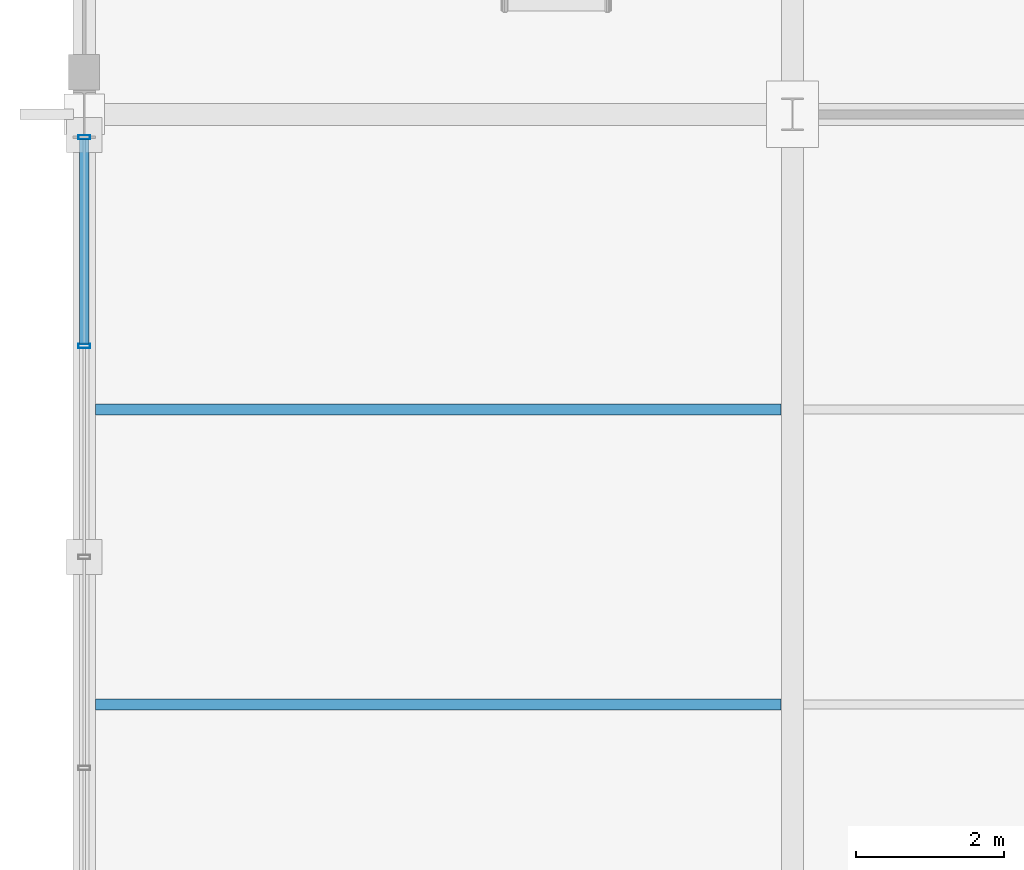
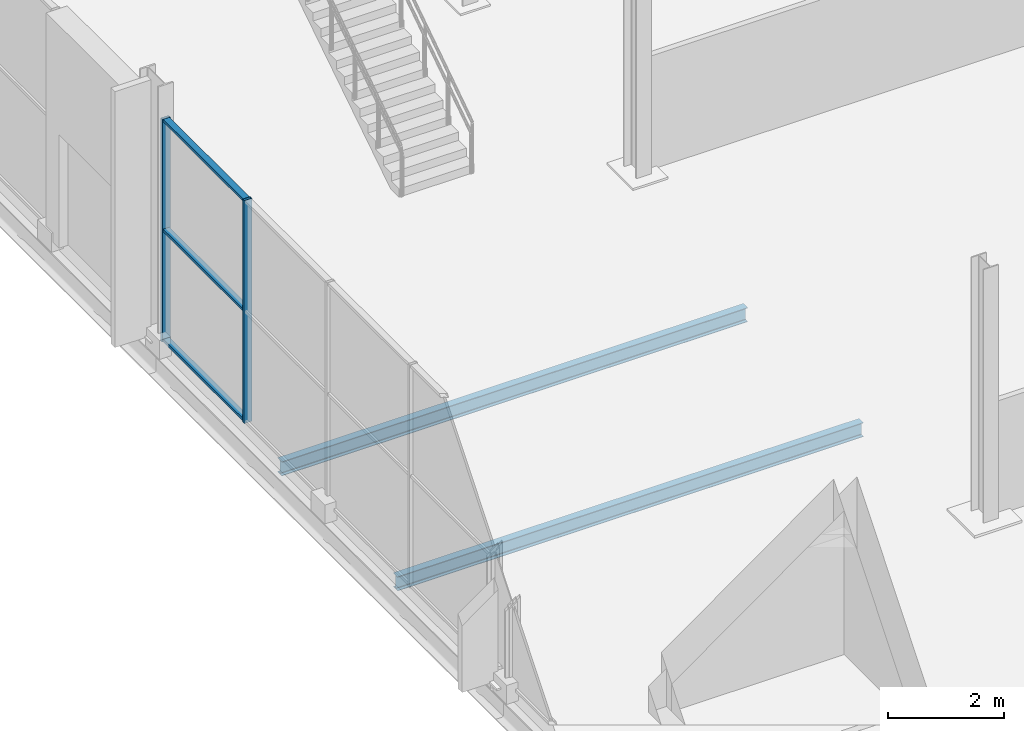
# One storey, part 46 of 196: 5 members, 2 beams, 1 element without a shape of its own.
"""IFC4 building model written with IfcOpenShell, lengths in metres."""

from ifc_helpers import new_model, si_unit, direction, frame, origin, origin_2d, place, context, subcontext, project, spatial, hollow_rectangle, i_section, extrude, material, material_profile, profile_set, type_object, element, aggregate, save


model = new_model("IFC4")

# Units and contexts
model_context = context("Model", 3, precision=1e-05, world=origin(), true_north=direction((0.0, 1.0)))
body_context = subcontext(model_context, "Body", "Model", "MODEL_VIEW")
ifc_project = project(units=[si_unit("LENGTHUNIT", "METRE"), si_unit("AREAUNIT", "SQUARE_METRE"), si_unit("VOLUMEUNIT", "CUBIC_METRE"), si_unit("PLANEANGLEUNIT", "RADIAN"), si_unit("MASSUNIT", "GRAM", prefix="KILO")], contexts=[model_context])

# Site, building, storey
site_placement = place(None, origin())
site = spatial("IfcSite", under=ifc_project, at=site_placement, CompositionType="ELEMENT")
building_placement = place(site_placement, origin())
building = spatial("IfcBuilding", under=site, at=building_placement, Name="Merenkruunu Market Hall", CompositionType="ELEMENT")
storey_placement = place(building_placement, origin())
storey = spatial("IfcBuildingStorey", under=building, at=storey_placement, Name="L00", CompositionType="ELEMENT", Elevation=0.0)

# Curtain wall, members
ifc_material_1 = material(Name="Powder-coated aluminium", Category="aluminium")
curtain_wall_type = type_object("IfcCurtainWallType", Name="Glazed Curtain Wall CW04", PredefinedType="USERDEFINED", material=ifc_material_1)
curtain_wall_placement = place(storey_placement, origin())
curtain_wall = element("IfcCurtainWall", 1, at=curtain_wall_placement, inside=storey, type_object=curtain_wall_type, Name="CW-L00-CWM01-004", ObjectType="GLAZED_FACADE", PredefinedType="USERDEFINED")
ifc_material_profile_1 = material_profile(ifc_material_1, hollow_rectangle(XDim=0.06005859375, YDim=0.159912109375, WallThickness=0.00390625, at=origin_2d()), Name="ALU 60x160x4")
ifc_profile_set_1 = profile_set([ifc_material_profile_1], Name="Powder-coated aluminium")
member_type_1 = type_object("IfcMemberType", Name="Curtain Wall Mullion CWM01", PredefinedType="MULLION", material=ifc_profile_set_1)
member_1_placement = place(storey_placement, frame((0.0, 36.4599609375, 0.0), z_axis=(0.0, 0.0, 1.0), x_axis=(0.0, 1.0, 0.0)))
member_1 = element("IfcMember", 2, at=member_1_placement, type_object=member_type_1, Name="CW04 mullion 4", PredefinedType="MULLION", context=body_context, shape_type="SweptSolid", body=[
    extrude(hollow_rectangle(XDim=0.06005859375, YDim=0.159912109375, WallThickness=0.00390625, at=origin_2d()), origin(), (0.0, 0.0, 1.0), 4.699951171875),
])
member_2_placement = place(storey_placement, frame((0.0, 39.2900390625, 0.0), z_axis=(0.0, 0.0, 1.0), x_axis=(0.0, 1.0, 0.0)))
member_2 = element("IfcMember", 3, at=member_2_placement, type_object=member_type_1, Name="CW04 mullion 5", PredefinedType="MULLION", context=body_context, shape_type="SweptSolid", body=[
    extrude(hollow_rectangle(XDim=0.06005859375, YDim=0.159912109375, WallThickness=0.00390625, at=origin_2d()), origin(), (0.0, 0.0, 1.0), 4.699951171875),
])
ifc_material_profile_2 = material_profile(ifc_material_1, hollow_rectangle(XDim=0.06005859375, YDim=0.125, WallThickness=0.00390625, at=origin_2d()), Name="ALU 60x125x4")
ifc_profile_set_2 = profile_set([ifc_material_profile_2], Name="Powder-coated aluminium")
member_type_2 = type_object("IfcMemberType", Name="Curtain Wall Transom CWT01", PredefinedType="USERDEFINED", material=ifc_profile_set_2)
member_3_placement = place(storey_placement, frame((0.0, 36.489990234375, 0.030029296875), z_axis=(0.0, 1.0, 0.0), x_axis=(0.0, 0.0, 1.0)))
member_3 = element("IfcMember", 4, at=member_3_placement, type_object=member_type_2, Name="CW04 transom 4.1", ObjectType="TRANSOM", PredefinedType="USERDEFINED", context=body_context, shape_type="SweptSolid", body=[
    extrude(hollow_rectangle(XDim=0.06005859375, YDim=0.125, WallThickness=0.00390625, at=origin_2d()), origin(), (0.0, 0.0, 1.0), 2.77001953125),
])
member_4_placement = place(storey_placement, frame((0.0, 36.489990234375, 2.35009765625), z_axis=(0.0, 1.0, 0.0), x_axis=(0.0, 0.0, 1.0)))
member_4 = element("IfcMember", 5, at=member_4_placement, type_object=member_type_2, Name="CW04 transom 4.2", ObjectType="TRANSOM", PredefinedType="USERDEFINED", context=body_context, shape_type="SweptSolid", body=[
    extrude(hollow_rectangle(XDim=0.06005859375, YDim=0.125, WallThickness=0.00390625, at=origin_2d()), origin(), (0.0, 0.0, 1.0), 2.77001953125),
])
member_5_placement = place(storey_placement, frame((0.0, 36.489990234375, 4.669921875), z_axis=(0.0, 1.0, 0.0), x_axis=(0.0, 0.0, 1.0)))
member_5 = element("IfcMember", 6, at=member_5_placement, type_object=member_type_2, Name="CW04 transom 4.3", ObjectType="TRANSOM", PredefinedType="USERDEFINED", context=body_context, shape_type="SweptSolid", body=[
    extrude(hollow_rectangle(XDim=0.06005859375, YDim=0.125, WallThickness=0.00390625, at=origin_2d()), origin(), (0.0, 0.0, 1.0), 2.77001953125),
])
aggregate(curtain_wall, [member_1, member_2, member_3, member_4, member_5])

# Beams
ifc_material_2 = material(Name="Steel S355J2", Category="steel")
ifc_material_profile_3 = material_profile(ifc_material_2, i_section(OverallWidth=0.14990234375, OverallDepth=0.300048828125, WebThickness=0.007080078125, FlangeThickness=0.0107421875, FilletRadius=0.014892578125, at=origin_2d()), Name="IPE 300")
ifc_profile_set_3 = profile_set([ifc_material_profile_3], Name="Steel S355J2")
beam_type = type_object("IfcBeamType", Name="Secondary Floor Joist J04", PredefinedType="JOIST", material=ifc_profile_set_3)
for number, where, z_axis, x_axis, name in (
    (7, (0.153076171875, 31.60009765625, -0.489990234375), (1.0, 0.0, 0.0), (0.0, 1.0, 0.0), "BM-L00-J04-0276"),
    (8, (0.153076171875, 35.60009765625, -0.489990234375), (1.0, 0.0, 0.0), (0.0, 1.0, 0.0), "BM-L00-J04-0277"),
):
    element("IfcBeam", number, at=place(storey_placement, frame(where, z_axis=z_axis, x_axis=x_axis)), inside=storey, type_object=beam_type, Name=name, PredefinedType="JOIST", context=body_context, shape_type="SweptSolid", body=[
        extrude(i_section(OverallWidth=0.14990234375, OverallDepth=0.300048828125, WebThickness=0.007080078125, FlangeThickness=0.0107421875, FilletRadius=0.014892578125, at=origin_2d()), origin(), (0.0, 0.0, 1.0), 9.2939453125),
    ])

save(model, "model.ifc")
